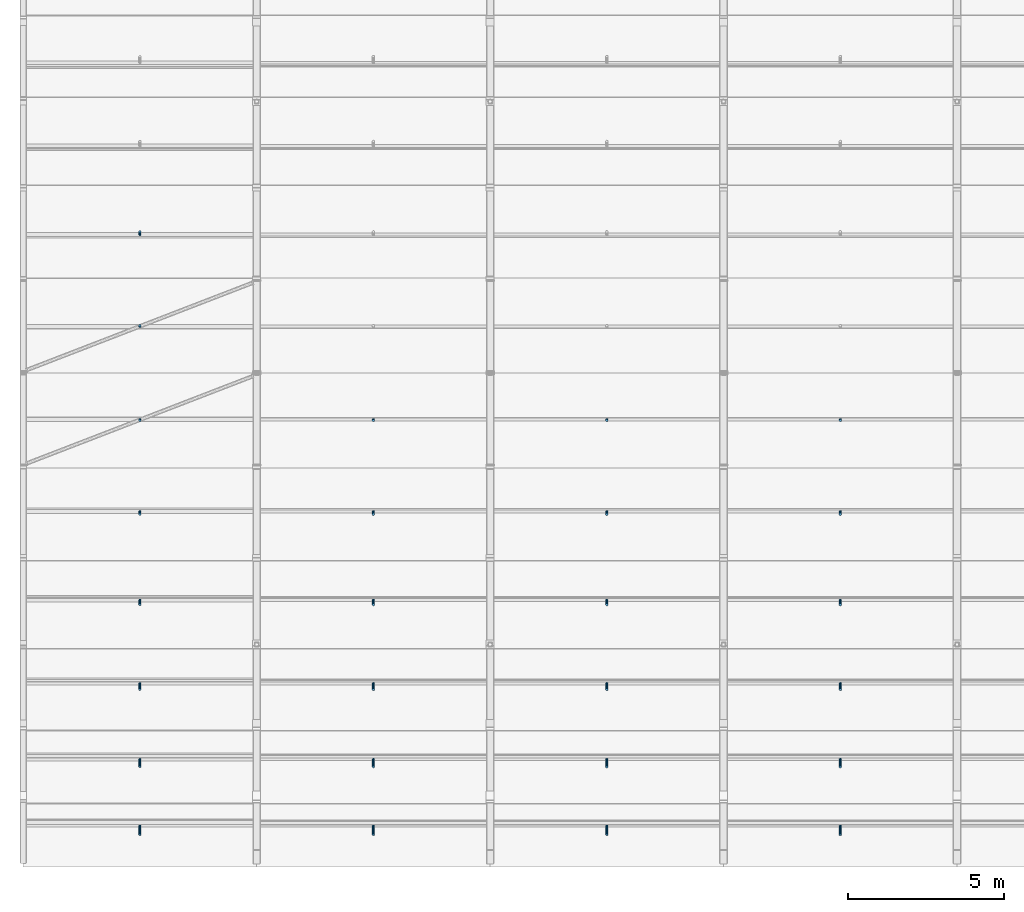
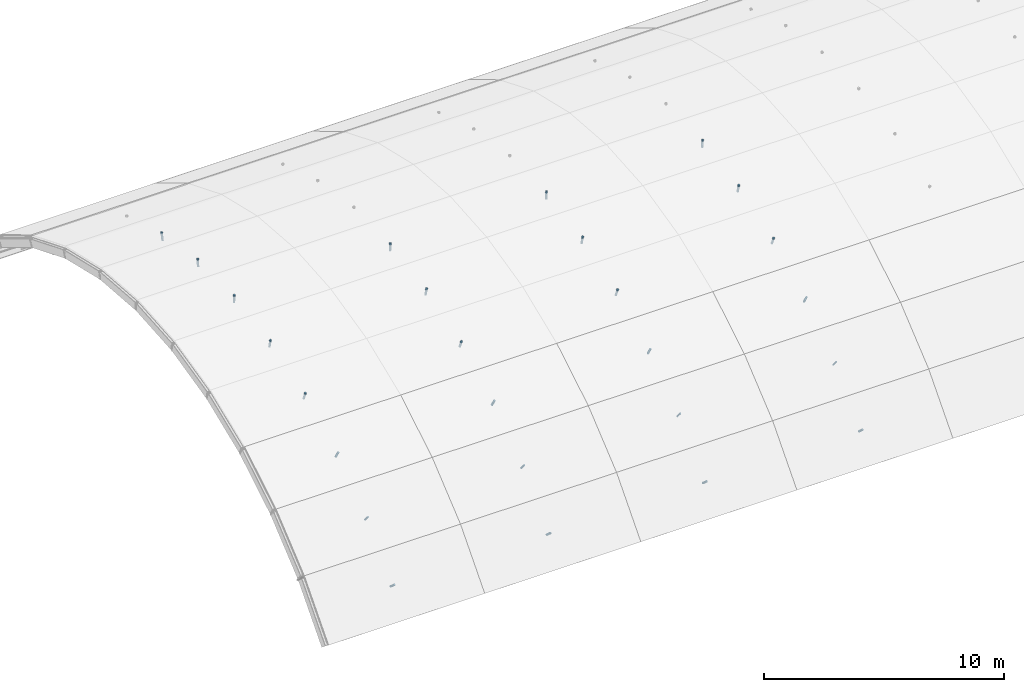
# One storey, part 66 of 77: 26 discrete accessories.
"""IFC4 building model written with IfcOpenShell, lengths in metres."""

from ifc_helpers import new_model, si_unit, direction, frame, origin, origin_2d, place, context, subcontext, project, spatial, circle, extrude, material, type_object, element, save


model = new_model("IFC4")

# Units and contexts
model_context = context("Model", 3, precision=1e-05, world=origin(), true_north=direction((0.0, 1.0)))
body_context = subcontext(model_context, "Body", "Model", "MODEL_VIEW")
ifc_project = project(units=[si_unit("LENGTHUNIT", "METRE"), si_unit("AREAUNIT", "SQUARE_METRE"), si_unit("VOLUMEUNIT", "CUBIC_METRE"), si_unit("PLANEANGLEUNIT", "RADIAN"), si_unit("MASSUNIT", "GRAM", prefix="KILO")], contexts=[model_context])

# Site, building, storey
site_placement = place(None, origin())
site = spatial("IfcSite", under=ifc_project, at=site_placement, CompositionType="ELEMENT")
building_placement = place(site_placement, origin())
building = spatial("IfcBuilding", under=site, at=building_placement, Name="Yukiwa Park Conservatory and Herbarium", CompositionType="ELEMENT")
storey_placement = place(building_placement, frame((0.0, 0.0, 13.199951171875)))
storey = spatial("IfcBuildingStorey", under=building, at=storey_placement, Name="L03", CompositionType="ELEMENT", Elevation=13.199951171875)

# Discrete accessories
ifc_material = material(Name="Steel Q355D", Category="steel")
discrete_accessory_type = type_object("IfcDiscreteAccessoryType", Name="ACC-SPIDER-BRACKET", PredefinedType="BRACKET", material=ifc_material)
discrete_accessory_1_placement = place(storey_placement, frame((3.75, 1.056640625, -3.12451171875), z_axis=(0.0, -0.751308874164, 0.659950737254), x_axis=(1.0, 0.0, 0.0)))
element("IfcDiscreteAccessory", 1, at=discrete_accessory_1_placement, inside=storey, type_object=discrete_accessory_type, Name="Conservatory glazing spider bracket 1.1", PredefinedType="BRACKET", context=body_context, shape_type="SweptSolid", body=[
    extrude(circle(Radius=0.0400390625, at=origin_2d()), origin(), (0.0, 0.0, 1.0), 0.382080078125),
])
discrete_accessory_2_placement = place(storey_placement, frame((3.75, 3.196533203125, -1.0380859375), z_axis=(0.0, -0.640686901787, 0.767802249201), x_axis=(1.0, 0.0, 0.0)))
element("IfcDiscreteAccessory", 2, at=discrete_accessory_2_placement, inside=storey, type_object=discrete_accessory_type, Name="Conservatory glazing spider bracket 1.2", PredefinedType="BRACKET", context=body_context, shape_type="SweptSolid", body=[
    extrude(circle(Radius=0.0400390625, at=origin_2d()), origin(), (0.0, 0.0, 1.0), 0.38232421875),
])
for number, where, z_axis, x_axis, name in (
    (3, (3.75, 5.632080078125, 0.694091796875), (0.0, -0.514401780511, 0.85754930366), (1.0, 0.0, 0.0), "Conservatory glazing spider bracket 1.3"),
    (4, (3.75, 8.305419921875, 2.03076171875), (0.0, -0.376891026254, 0.926257606894), (1.0, 0.0, 0.0), "Conservatory glazing spider bracket 1.4"),
    (5, (3.75, 11.152587890625, 2.93994140625), (0.0, -0.230036457189, 0.97318201194), (1.0, 0.0, 0.0), "Conservatory glazing spider bracket 1.5"),
    (6, (3.75, 14.105712890625, 3.400146484375), (0.0, -0.077331829898, 0.997005410258), (1.0, 0.0, 0.0), "Conservatory glazing spider bracket 1.6"),
    (7, (3.75, 17.094482421875, 3.400146484375), (0.0, 0.076696498885, 0.997054485502), (-1.0, 0.0, 0.0), "Conservatory glazing spider bracket 1.7"),
    (8, (3.75, 20.047607421875, 2.93994140625), (0.0, 0.229431146984, 0.97332489375), (-1.0, 0.0, 0.0), "Conservatory glazing spider bracket 1.8"),
):
    element("IfcDiscreteAccessory", number, at=place(storey_placement, frame(where, z_axis=z_axis, x_axis=x_axis)), inside=storey, type_object=discrete_accessory_type, Name=name, PredefinedType="BRACKET", context=body_context, shape_type="SweptSolid", body=[
        extrude(circle(Radius=0.0400390625, at=origin_2d()), origin(), (0.0, 0.0, 1.0), 0.382080078125),
    ])
for number, where, z_axis, x_axis, name in (
    (9, (11.25, 1.056640625, -3.12451171875), (0.0, -0.751108746031, 0.660178499828), (1.0, 0.0, 0.0), "Conservatory glazing spider bracket 2.1"),
    (10, (11.25, 3.196533203125, -1.0380859375), (0.0, -0.640735457836, 0.767761729361), (1.0, 0.0, 0.0), "Conservatory glazing spider bracket 2.2"),
    (11, (11.25, 5.632080078125, 0.694091796875), (0.0, -0.514404169355, 0.857547870705), (1.0, 0.0, 0.0), "Conservatory glazing spider bracket 2.3"),
    (12, (11.25, 8.305419921875, 2.03076171875), (0.0, -0.376644212225, 0.926357996348), (1.0, 0.0, 0.0), "Conservatory glazing spider bracket 2.4"),
    (13, (11.25, 11.152587890625, 2.93994140625), (0.0, -0.229768108787, 0.973245403886), (1.0, 0.0, 0.0), "Conservatory glazing spider bracket 2.5"),
    (14, (11.25, 14.105712890625, 3.400146484375), (0.0, -0.077220326377, 0.997014052656), (1.0, 0.0, 0.0), "Conservatory glazing spider bracket 2.6"),
    (15, (18.75, 1.056640625, -3.12451171875), (0.0, -0.751108746031, 0.660178499828), (1.0, 0.0, 0.0), "Conservatory glazing spider bracket 3.1"),
    (16, (18.75, 3.196533203125, -1.0380859375), (0.0, -0.640735457836, 0.767761729361), (1.0, 0.0, 0.0), "Conservatory glazing spider bracket 3.2"),
    (17, (18.75, 5.632080078125, 0.694091796875), (0.0, -0.514404169355, 0.857547870705), (1.0, 0.0, 0.0), "Conservatory glazing spider bracket 3.3"),
    (18, (18.75, 8.305419921875, 2.03076171875), (0.0, -0.376644212225, 0.926357996348), (1.0, 0.0, 0.0), "Conservatory glazing spider bracket 3.4"),
    (19, (18.75, 11.152587890625, 2.93994140625), (0.0, -0.229768108787, 0.973245403886), (1.0, 0.0, 0.0), "Conservatory glazing spider bracket 3.5"),
    (20, (18.75, 14.105712890625, 3.400146484375), (0.0, -0.077220326377, 0.997014052656), (1.0, 0.0, 0.0), "Conservatory glazing spider bracket 3.6"),
    (21, (26.25, 1.056640625, -3.12451171875), (0.0, -0.751108746031, 0.660178499828), (1.0, 0.0, 0.0), "Conservatory glazing spider bracket 4.1"),
    (22, (26.25, 3.196533203125, -1.0380859375), (0.0, -0.640735457836, 0.767761729361), (1.0, 0.0, 0.0), "Conservatory glazing spider bracket 4.2"),
    (23, (26.25, 5.632080078125, 0.694091796875), (0.0, -0.514404169355, 0.857547870705), (1.0, 0.0, 0.0), "Conservatory glazing spider bracket 4.3"),
    (24, (26.25, 8.305419921875, 2.03076171875), (0.0, -0.376644212225, 0.926357996348), (1.0, 0.0, 0.0), "Conservatory glazing spider bracket 4.4"),
    (25, (26.25, 11.152587890625, 2.93994140625), (0.0, -0.229768108787, 0.973245403886), (1.0, 0.0, 0.0), "Conservatory glazing spider bracket 4.5"),
    (26, (26.25, 14.105712890625, 3.400146484375), (0.0, -0.077220326377, 0.997014052656), (1.0, 0.0, 0.0), "Conservatory glazing spider bracket 4.6"),
):
    element("IfcDiscreteAccessory", number, at=place(storey_placement, frame(where, z_axis=z_axis, x_axis=x_axis)), inside=storey, type_object=discrete_accessory_type, Name=name, PredefinedType="BRACKET", context=body_context, shape_type="SweptSolid", body=[
        extrude(circle(Radius=0.0400390625, at=origin_2d()), origin(), (0.0, 0.0, 1.0), 0.39208984375),
    ])

save(model, "model.ifc")
